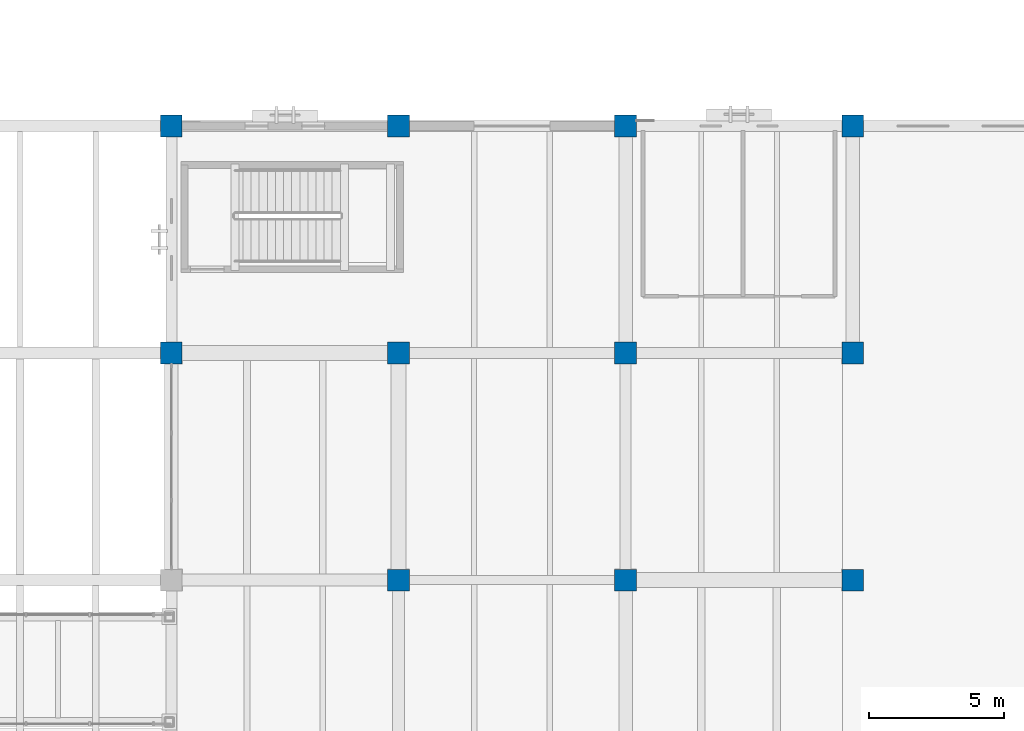
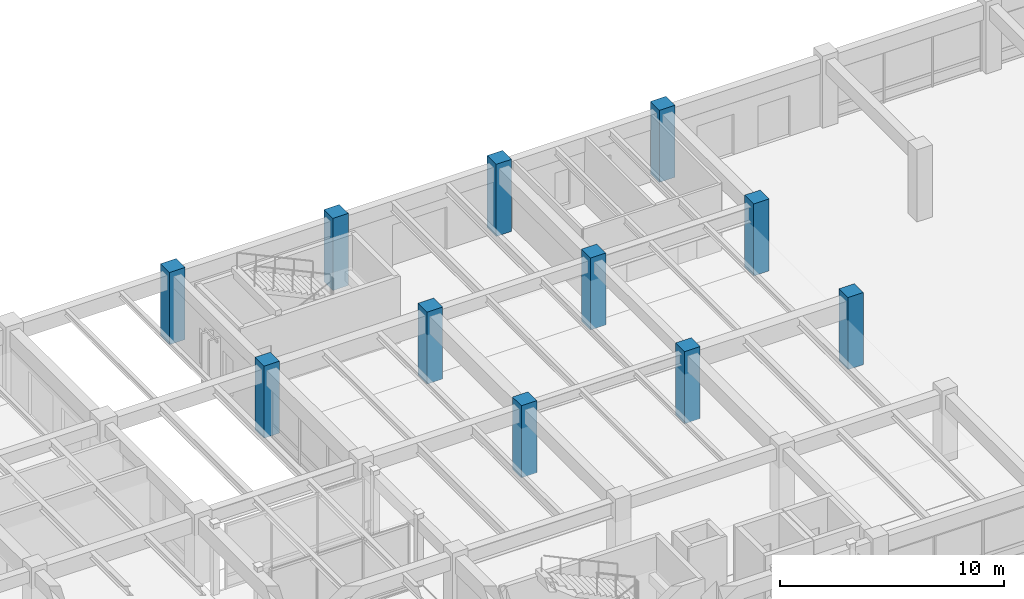
# One storey, part 16 of 135: 11 columns.
"""IFC4 building model written with IfcOpenShell, lengths in metres."""

from ifc_helpers import new_model, si_unit, direction, frame, origin, origin_2d, place, context, subcontext, project, spatial, rectangle, extrude, material, material_profile, profile_set, type_object, element, save


model = new_model("IFC4")

# Units and contexts
model_context = context("Model", 3, precision=1e-05, world=origin(), true_north=direction((0.0, 1.0)))
body_context = subcontext(model_context, "Body", "Model", "MODEL_VIEW")
ifc_project = project(units=[si_unit("LENGTHUNIT", "METRE"), si_unit("AREAUNIT", "SQUARE_METRE"), si_unit("VOLUMEUNIT", "CUBIC_METRE"), si_unit("PLANEANGLEUNIT", "RADIAN"), si_unit("MASSUNIT", "GRAM", prefix="KILO")], contexts=[model_context])

# Site, building, storey
site_placement = place(None, origin())
site = spatial("IfcSite", under=ifc_project, at=site_placement, CompositionType="ELEMENT")
building_placement = place(site_placement, origin())
building = spatial("IfcBuilding", under=site, at=building_placement, Name="Cumbredor Promenade Congress Hotel", CompositionType="ELEMENT")
storey_placement = place(building_placement, origin())
storey = spatial("IfcBuildingStorey", under=building, at=storey_placement, Name="L00", CompositionType="ELEMENT", Elevation=0.0)

# Columns
ifc_material = material(Name="Concrete C50/60", Category="concrete")
ifc_material_profile = material_profile(ifc_material, rectangle(XDim=0.800048828125, YDim=0.800048828125, at=origin_2d()), Name="RC 800x800")
ifc_profile_set = profile_set([ifc_material_profile], Name="Concrete C50/60")
column_type = type_object("IfcColumnType", Name="COL-RC-800", PredefinedType="COLUMN", material=ifc_profile_set)
for number, where, z_axis, x_axis, name in (
    (1, (92.39990234375, 109.199951171875, 0.0), (0.0, 0.0, 1.0), (1.0, 0.0, 0.0), "L00 Structural Column 118"),
    (2, (92.39990234375, 117.60009765625, 0.0), (0.0, 0.0, 1.0), (1.0, 0.0, 0.0), "L00 Structural Column 119"),
    (3, (100.800048828125, 100.800048828125, 0.0), (0.0, 0.0, 1.0), (1.0, 0.0, 0.0), "L00 Structural Column 126"),
    (4, (100.800048828125, 109.199951171875, 0.0), (0.0, 0.0, 1.0), (1.0, 0.0, 0.0), "L00 Structural Column 127"),
    (5, (100.800048828125, 117.60009765625, 0.0), (0.0, 0.0, 1.0), (1.0, 0.0, 0.0), "L00 Structural Column 128"),
    (6, (109.199951171875, 100.800048828125, 0.0), (0.0, 0.0, 1.0), (1.0, 0.0, 0.0), "L00 Structural Column 137"),
    (7, (109.199951171875, 109.199951171875, 0.0), (0.0, 0.0, 1.0), (1.0, 0.0, 0.0), "L00 Structural Column 138"),
    (8, (109.199951171875, 117.60009765625, 0.0), (0.0, 0.0, 1.0), (1.0, 0.0, 0.0), "L00 Structural Column 139"),
    (9, (117.60009765625, 100.800048828125, 0.0), (0.0, 0.0, 1.0), (1.0, 0.0, 0.0), "L00 Structural Column 142"),
    (10, (117.60009765625, 109.199951171875, 0.0), (0.0, 0.0, 1.0), (1.0, 0.0, 0.0), "L00 Structural Column 143"),
    (11, (117.60009765625, 117.60009765625, 0.0), (0.0, 0.0, 1.0), (1.0, 0.0, 0.0), "L00 Structural Column 144"),
):
    element("IfcColumn", number, at=place(storey_placement, frame(where, z_axis=z_axis, x_axis=x_axis)), inside=storey, type_object=column_type, Name=name, PredefinedType="COLUMN", context=body_context, shape_type="SweptSolid", body=[
        extrude(rectangle(XDim=0.800048828125, YDim=0.800048828125, at=origin_2d()), origin(), (0.0, 0.0, 1.0), 3.919921875),
    ])

save(model, "model.ifc")
